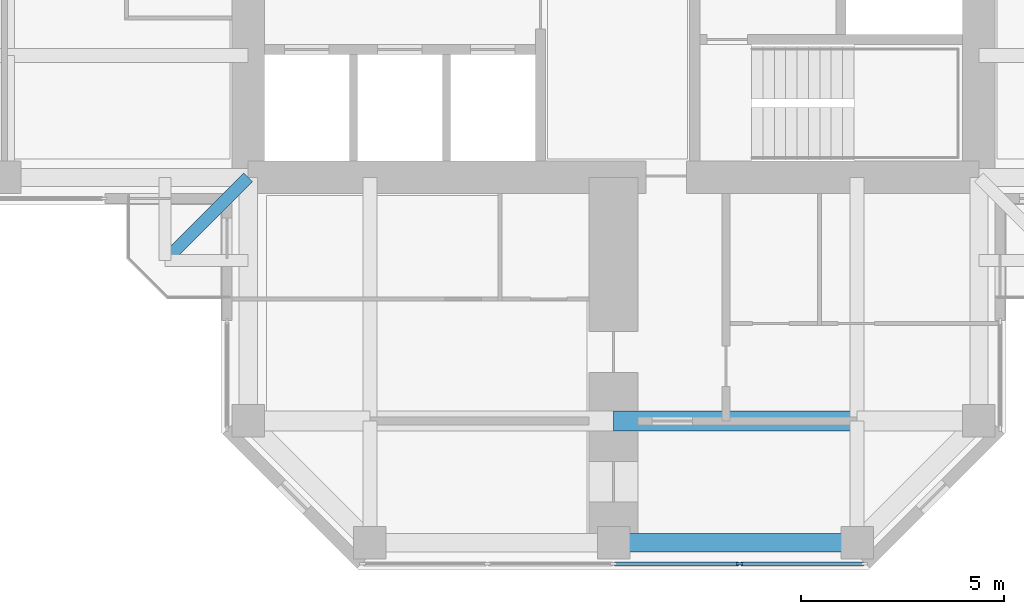
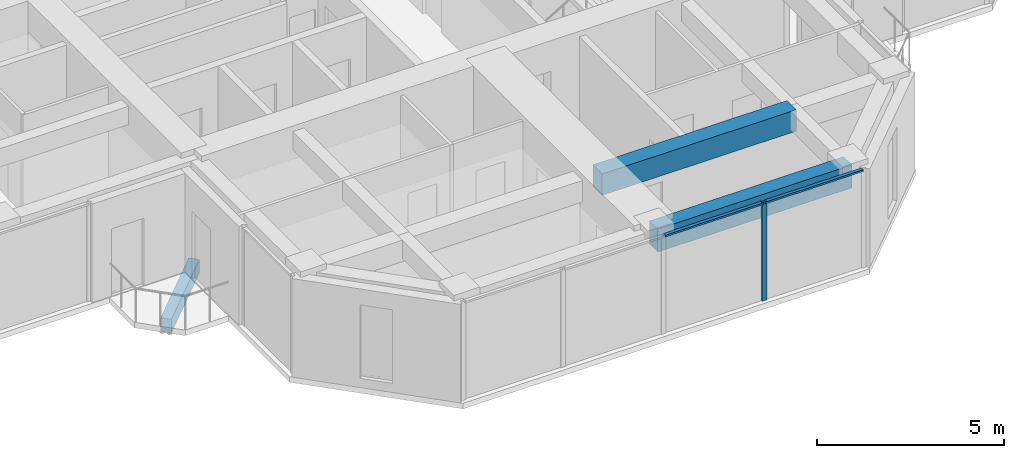
# One storey, part 3 of 13: 3 beams, 3 members, 1 element without a shape of its own.
"""IFC4 building model written with IfcOpenShell, lengths in metres."""

from ifc_helpers import new_model, si_unit, direction, frame, origin, origin_2d, place, context, subcontext, project, spatial, rectangle, extrude, material, material_profile, profile_set, type_object, element, aggregate, save


model = new_model("IFC4")

# Units and contexts
model_context = context("Model", 3, precision=1e-05, world=origin(), true_north=direction((0.0, 1.0)))
body_context = subcontext(model_context, "Body", "Model", "MODEL_VIEW")
ifc_project = project(units=[si_unit("LENGTHUNIT", "METRE"), si_unit("AREAUNIT", "SQUARE_METRE"), si_unit("VOLUMEUNIT", "CUBIC_METRE"), si_unit("PLANEANGLEUNIT", "RADIAN"), si_unit("MASSUNIT", "GRAM", prefix="KILO")], contexts=[model_context])

# Site, building, storey
site_placement = place(None, origin())
site = spatial("IfcSite", under=ifc_project, at=site_placement, CompositionType="ELEMENT")
building_placement = place(site_placement, origin())
building = spatial("IfcBuilding", under=site, at=building_placement, Name="Torre Cruceta", CompositionType="ELEMENT")
storey_placement = place(building_placement, frame((0.0, 0.0, 239.10009765625)))
storey = spatial("IfcBuildingStorey", under=building, at=storey_placement, Name="L61", CompositionType="ELEMENT", Elevation=239.10009765625)

# Beams
ifc_material_1 = material(Name="Concrete G60 (fck 60 MPa)", Category="concrete")
ifc_material_profile_1 = material_profile(ifc_material_1, rectangle(XDim=0.300048828125, YDim=0.449951171875, at=origin_2d()), Name="RC 300X450")
ifc_profile_set_1 = profile_set([ifc_material_profile_1], Name="Concrete G60 (fck 60 MPa)")
beam_type_1 = type_object("IfcBeamType", Name="BALCONY CANTILEVER BEAM RC 300X450", PredefinedType="BEAM", material=ifc_profile_set_1)
beam_1_placement = place(storey_placement, frame((-9.0, -9.0, -0.405029296875), z_axis=(-0.707106781187, -0.707106781187, 0.0), x_axis=(0.707106781187, -0.707106781187, 0.0)))
element("IfcBeam", 1, at=beam_1_placement, inside=storey, type_object=beam_type_1, Name="BB1 balcony beam L61 W", PredefinedType="BEAM", context=body_context, shape_type="SweptSolid", body=[
    extrude(rectangle(XDim=0.300048828125, YDim=0.449951171875, at=origin_2d()), origin(), (0.0, 0.0, 1.0), 2.89990234375),
])
ifc_material_2 = material(Name="Concrete G60 (fck 60 MPa)", Category="concrete")
ifc_material_profile_2 = material_profile(ifc_material_2, rectangle(XDim=0.5, YDim=0.699951171875, at=origin_2d()), Name="RC 500X700")
ifc_profile_set_2 = profile_set([ifc_material_profile_2], Name="Concrete G60 (fck 60 MPa)")
beam_type_2 = type_object("IfcBeamType", Name="CROSS BEAM RC 500X700", PredefinedType="BEAM", material=ifc_profile_set_2)
beam_2_placement = place(storey_placement, frame((0.0, -15.0, 2.869873046875), z_axis=(1.0, 0.0, 0.0), x_axis=(0.0, 1.0, 0.0)))
element("IfcBeam", 2, at=beam_2_placement, inside=storey, type_object=beam_type_2, Name="GB7 L61 S cross15 3", PredefinedType="BEAM", context=body_context, shape_type="SweptSolid", body=[
    extrude(rectangle(XDim=0.5, YDim=0.699951171875, at=origin_2d()), origin(), (0.0, 0.0, 1.0), 6.0),
])

# Curtain wall, members
ifc_material_3 = material(Name="Aluminium unitised curtain wall", Category="aluminium")
curtain_wall_type = type_object("IfcCurtainWallType", Name="CURTAIN WALL CW-D CO-LIVING UPPER", PredefinedType="USERDEFINED", material=ifc_material_3)
curtain_wall_placement = place(storey_placement, origin())
curtain_wall = element("IfcCurtainWall", 3, at=curtain_wall_placement, inside=storey, type_object=curtain_wall_type, Name="CW-D L61 S tip 17", ObjectType="UNITISED", PredefinedType="USERDEFINED")
ifc_material_4 = material(Name="Aluminium mullion", Category="aluminium")
ifc_material_profile_3 = material_profile(ifc_material_4, rectangle(XDim=0.06005859375, YDim=0.14990234375, at=origin_2d()), Name="AL 60X150")
ifc_profile_set_3 = profile_set([ifc_material_profile_3], Name="Aluminium mullion")
member_type_1 = type_object("IfcMemberType", Name="CW-D MULLION 60X150", PredefinedType="MULLION", material=ifc_profile_set_3)
member_1_placement = place(storey_placement, frame((3.107666015625, -18.52001953125, 0.0), z_axis=(0.0, 0.0, 1.0), x_axis=(0.0, 1.0, 0.0)))
member_1 = element("IfcMember", 4, at=member_1_placement, type_object=member_type_1, Name="CW-D mullion 4", PredefinedType="MULLION", context=body_context, shape_type="SweptSolid", body=[
    extrude(rectangle(XDim=0.06005859375, YDim=0.14990234375, at=origin_2d()), origin(), (0.0, 0.0, 1.0), 3.219970703125),
])
ifc_material_5 = material(Name="Aluminium transom", Category="aluminium")
ifc_material_profile_4 = material_profile(ifc_material_5, rectangle(XDim=0.10009765625, YDim=0.06005859375, at=origin_2d()), Name="AL 100X60")
ifc_profile_set_4 = profile_set([ifc_material_profile_4], Name="Aluminium transom")
member_type_2 = type_object("IfcMemberType", Name="CW-D TRANSOM 60X100", PredefinedType="USERDEFINED", material=ifc_profile_set_4)
member_2_placement = place(storey_placement, frame((0.030029296875, -18.52001953125, 3.18994140625), z_axis=(1.0, 0.0, 0.0), x_axis=(0.0, 1.0, 0.0)))
member_2 = element("IfcMember", 5, at=member_2_placement, type_object=member_type_2, Name="CW-D transom 3", ObjectType="TRANSOM", PredefinedType="USERDEFINED", context=body_context, shape_type="SweptSolid", body=[
    extrude(rectangle(XDim=0.10009765625, YDim=0.06005859375, at=origin_2d()), origin(), (0.0, 0.0, 1.0), 3.047607421875),
])
member_3_placement = place(storey_placement, frame((3.1376953125, -18.52001953125, 3.18994140625), z_axis=(1.0, 0.0, 0.0), x_axis=(0.0, 1.0, 0.0)))
member_3 = element("IfcMember", 6, at=member_3_placement, type_object=member_type_2, Name="CW-D transom 4", ObjectType="TRANSOM", PredefinedType="USERDEFINED", context=body_context, shape_type="SweptSolid", body=[
    extrude(rectangle(XDim=0.10009765625, YDim=0.06005859375, at=origin_2d()), origin(), (0.0, 0.0, 1.0), 3.017578125),
])
aggregate(curtain_wall, [member_1, member_2, member_3])

# Beam
ifc_material_6 = material(Name="Concrete G60 (fck 60 MPa)", Category="concrete")
ifc_material_profile_5 = material_profile(ifc_material_6, rectangle(XDim=0.449951171875, YDim=0.75, at=origin_2d()), Name="RC 450X750")
ifc_profile_set_5 = profile_set([ifc_material_profile_5], Name="Concrete G60 (fck 60 MPa)")
beam_type_3 = type_object("IfcBeamType", Name="SPANDREL BEAM RC 450X750", PredefinedType="SPANDREL", material=ifc_profile_set_5)
beam_3_placement = place(storey_placement, frame((0.0, -18.0, 2.844970703125), z_axis=(1.0, 0.0, 0.0), x_axis=(0.0, 1.0, 0.0)))
element("IfcBeam", 7, at=beam_3_placement, inside=storey, type_object=beam_type_3, Name="SB7 L61 S tip 2", PredefinedType="SPANDREL", context=body_context, shape_type="SweptSolid", body=[
    extrude(rectangle(XDim=0.449951171875, YDim=0.75, at=origin_2d()), origin(), (0.0, 0.0, 1.0), 6.0),
])

save(model, "model.ifc")
